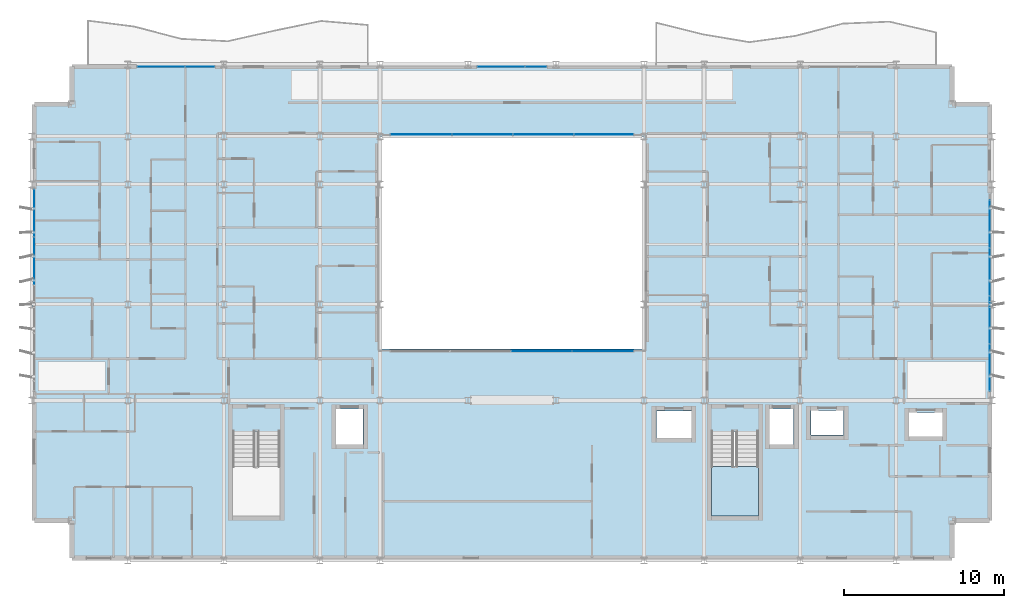
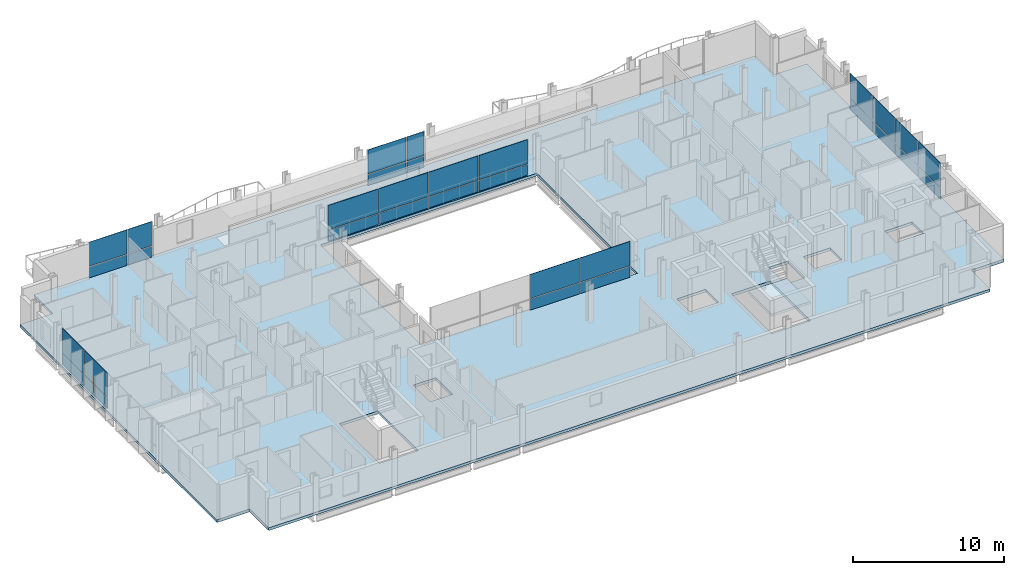
# One storey, part 23 of 38: 32 plates, 2 slabs, 7 elements without a shape of their own.
"""IFC4 building model written with IfcOpenShell, lengths in metres."""

from ifc_helpers import new_model, si_unit, direction, frame, origin, origin_2d, place, context, subcontext, project, spatial, polyline, rectangle, outline, extrude, material, layer, layer_set, type_object, element, aggregate, save


model = new_model("IFC4")

# Units and contexts
model_context = context("Model", 3, precision=1e-05, world=origin(), true_north=direction((0.0, 1.0)))
body_context = subcontext(model_context, "Body", "Model", "MODEL_VIEW")
ifc_project = project(units=[si_unit("LENGTHUNIT", "METRE"), si_unit("AREAUNIT", "SQUARE_METRE"), si_unit("VOLUMEUNIT", "CUBIC_METRE"), si_unit("PLANEANGLEUNIT", "RADIAN"), si_unit("MASSUNIT", "GRAM", prefix="KILO")], contexts=[model_context])

# Site, building, storey
site_placement = place(None, origin())
site = spatial("IfcSite", under=ifc_project, at=site_placement, CompositionType="ELEMENT")
building_placement = place(site_placement, origin())
building = spatial("IfcBuilding", under=site, at=building_placement, Name="Brevholm Reach", CompositionType="ELEMENT")
storey_placement = place(building_placement, frame((0.0, 0.0, 128.300048828125)))
storey = spatial("IfcBuildingStorey", under=building, at=storey_placement, Name="L38", CompositionType="ELEMENT", Elevation=128.300048828125)

# Curtain wall, plates
ifc_material_1 = material(Name="Dark Anodised Aluminium 6063-T6 and Solar-Control Glass", Category="aluminium")
ifc_layer_1 = layer(ifc_material_1, 0.14990234375)
ifc_layer_set_1 = layer_set([ifc_layer_1], Name="Dark Anodised Aluminium 6063-T6 and Solar-Control Glass")
curtain_wall_type_1 = type_object("IfcCurtainWallType", Name="CW-01", PredefinedType="NOTDEFINED", material=ifc_layer_set_1)
curtain_wall_1_placement = place(storey_placement, origin())
curtain_wall_1 = element("IfcCurtainWall", 1, at=curtain_wall_1_placement, inside=storey, type_object=curtain_wall_type_1, Name="L38 Curtain Wall CW-01", PredefinedType="NOTDEFINED")
ifc_material_2 = material(Name="Dark Solar-Control Double-Glazed IGU Glass", Category="glass")
ifc_layer_2 = layer(ifc_material_2, 0.028076171875)
ifc_layer_set_2 = layer_set([ifc_layer_2], Name="Dark Solar-Control Double-Glazed IGU Glass")
plate_type_1 = type_object("IfcPlateType", Name="CWP-GLZ-28", PredefinedType="CURTAIN_PANEL", material=ifc_layer_set_2)
plate_1_placement = place(storey_placement, frame((0.14990234375, 21.703857421875, 0.0), z_axis=(0.0, 0.0, 1.0), x_axis=(0.0, -1.0, 0.0)))
plate_1 = element("IfcPlate", 2, at=plate_1_placement, type_object=plate_type_1, Name="CP-01 Glazing Panel 1.1", PredefinedType="CURTAIN_PANEL", context=body_context, shape_type="SweptSolid", body=[
    extrude(rectangle(XDim=2.902587890625, YDim=0.028076171875, at=origin_2d()), origin(), (0.0, 0.0, 1.0), 0.867431640625),
])
plate_2_placement = place(storey_placement, frame((0.14990234375, 21.703857421875, 0.9326171875), z_axis=(0.0, 0.0, 1.0), x_axis=(0.0, -1.0, 0.0)))
plate_2 = element("IfcPlate", 3, at=plate_2_placement, type_object=plate_type_1, Name="CP-01 Glazing Panel 1.2", PredefinedType="CURTAIN_PANEL", context=body_context, shape_type="SweptSolid", body=[
    extrude(rectangle(XDim=2.902587890625, YDim=0.028076171875, at=origin_2d()), origin(), (0.0, 0.0, 1.0), 1.947509765625),
])
plate_3_placement = place(storey_placement, frame((0.14990234375, 18.719970703125, 0.0), z_axis=(0.0, 0.0, 1.0), x_axis=(0.0, -1.0, 0.0)))
plate_3 = element("IfcPlate", 4, at=plate_3_placement, type_object=plate_type_1, Name="CP-01 Glazing Panel 2.1", PredefinedType="CURTAIN_PANEL", context=body_context, shape_type="SweptSolid", body=[
    extrude(rectangle(XDim=2.93505859375, YDim=0.028076171875, at=origin_2d()), origin(), (0.0, 0.0, 1.0), 0.867431640625),
])
plate_4_placement = place(storey_placement, frame((0.14990234375, 18.719970703125, 0.9326171875), z_axis=(0.0, 0.0, 1.0), x_axis=(0.0, -1.0, 0.0)))
plate_4 = element("IfcPlate", 5, at=plate_4_placement, type_object=plate_type_1, Name="CP-01 Glazing Panel 2.2", PredefinedType="CURTAIN_PANEL", context=body_context, shape_type="SweptSolid", body=[
    extrude(rectangle(XDim=2.93505859375, YDim=0.028076171875, at=origin_2d()), origin(), (0.0, 0.0, 1.0), 1.947509765625),
])
aggregate(curtain_wall_1, [plate_1, plate_2, plate_3, plate_4])

curtain_wall_2_placement = place(storey_placement, origin())
curtain_wall_2 = element("IfcCurtainWall", 6, at=curtain_wall_2_placement, inside=storey, type_object=curtain_wall_type_1, Name="L38 Curtain Wall CW-01", PredefinedType="NOTDEFINED")
plate_5_placement = place(storey_placement, frame((59.85009765625, 12.066162109375, 0.0), z_axis=(0.0, 0.0, 1.0), x_axis=(0.0, 1.0, 0.0)))
plate_5 = element("IfcPlate", 7, at=plate_5_placement, type_object=plate_type_1, Name="CP-01 Glazing Panel 1.1", PredefinedType="CURTAIN_PANEL", context=body_context, shape_type="SweptSolid", body=[
    extrude(rectangle(XDim=2.902587890625, YDim=0.028076171875, at=origin_2d()), origin(), (0.0, 0.0, 1.0), 0.867431640625),
])
plate_6_placement = place(storey_placement, frame((59.85009765625, 12.066162109375, 0.9326171875), z_axis=(0.0, 0.0, 1.0), x_axis=(0.0, 1.0, 0.0)))
plate_6 = element("IfcPlate", 8, at=plate_6_placement, type_object=plate_type_1, Name="CP-01 Glazing Panel 1.2", PredefinedType="CURTAIN_PANEL", context=body_context, shape_type="SweptSolid", body=[
    extrude(rectangle(XDim=2.902587890625, YDim=0.028076171875, at=origin_2d()), origin(), (0.0, 0.0, 1.0), 1.947509765625),
])
plate_7_placement = place(storey_placement, frame((59.85009765625, 15.050048828125, 0.0), z_axis=(0.0, 0.0, 1.0), x_axis=(0.0, 1.0, 0.0)))
plate_7 = element("IfcPlate", 9, at=plate_7_placement, type_object=plate_type_1, Name="CP-01 Glazing Panel 2.1", PredefinedType="CURTAIN_PANEL", context=body_context, shape_type="SweptSolid", body=[
    extrude(rectangle(XDim=2.93505859375, YDim=0.028076171875, at=origin_2d()), origin(), (0.0, 0.0, 1.0), 0.867431640625),
])
plate_8_placement = place(storey_placement, frame((59.85009765625, 15.050048828125, 0.9326171875), z_axis=(0.0, 0.0, 1.0), x_axis=(0.0, 1.0, 0.0)))
plate_8 = element("IfcPlate", 10, at=plate_8_placement, type_object=plate_type_1, Name="CP-01 Glazing Panel 2.2", PredefinedType="CURTAIN_PANEL", context=body_context, shape_type="SweptSolid", body=[
    extrude(rectangle(XDim=2.93505859375, YDim=0.028076171875, at=origin_2d()), origin(), (0.0, 0.0, 1.0), 1.947509765625),
])
plate_9_placement = place(storey_placement, frame((59.85009765625, 18.050048828125, 0.0), z_axis=(0.0, 0.0, 1.0), x_axis=(0.0, 1.0, 0.0)))
plate_9 = element("IfcPlate", 11, at=plate_9_placement, type_object=plate_type_1, Name="CP-01 Glazing Panel 3.1", PredefinedType="CURTAIN_PANEL", context=body_context, shape_type="SweptSolid", body=[
    extrude(rectangle(XDim=2.93505859375, YDim=0.028076171875, at=origin_2d()), origin(), (0.0, 0.0, 1.0), 0.867431640625),
])
plate_10_placement = place(storey_placement, frame((59.85009765625, 18.050048828125, 0.9326171875), z_axis=(0.0, 0.0, 1.0), x_axis=(0.0, 1.0, 0.0)))
plate_10 = element("IfcPlate", 12, at=plate_10_placement, type_object=plate_type_1, Name="CP-01 Glazing Panel 3.2", PredefinedType="CURTAIN_PANEL", context=body_context, shape_type="SweptSolid", body=[
    extrude(rectangle(XDim=2.93505859375, YDim=0.028076171875, at=origin_2d()), origin(), (0.0, 0.0, 1.0), 1.947509765625),
])
plate_11_placement = place(storey_placement, frame((59.85009765625, 21.050048828125, 0.0), z_axis=(0.0, 0.0, 1.0), x_axis=(0.0, 1.0, 0.0)))
plate_11 = element("IfcPlate", 13, at=plate_11_placement, type_object=plate_type_1, Name="CP-01 Glazing Panel 4.1", PredefinedType="CURTAIN_PANEL", context=body_context, shape_type="SweptSolid", body=[
    extrude(rectangle(XDim=2.93505859375, YDim=0.028076171875, at=origin_2d()), origin(), (0.0, 0.0, 1.0), 0.867431640625),
])
plate_12_placement = place(storey_placement, frame((59.85009765625, 21.050048828125, 0.9326171875), z_axis=(0.0, 0.0, 1.0), x_axis=(0.0, 1.0, 0.0)))
plate_12 = element("IfcPlate", 14, at=plate_12_placement, type_object=plate_type_1, Name="CP-01 Glazing Panel 4.2", PredefinedType="CURTAIN_PANEL", context=body_context, shape_type="SweptSolid", body=[
    extrude(rectangle(XDim=2.93505859375, YDim=0.028076171875, at=origin_2d()), origin(), (0.0, 0.0, 1.0), 1.947509765625),
])
aggregate(curtain_wall_2, [plate_5, plate_6, plate_7, plate_8, plate_9, plate_10, plate_11, plate_12])

curtain_wall_3_placement = place(storey_placement, origin())
curtain_wall_3 = element("IfcCurtainWall", 15, at=curtain_wall_3_placement, inside=storey, type_object=curtain_wall_type_1, Name="L38 Curtain Wall CW-01", PredefinedType="NOTDEFINED")
plate_13_placement = place(storey_placement, frame((8.066162109375, 30.85009765625, 0.0), z_axis=(0.0, 0.0, 1.0), x_axis=(1.0, 0.0, 0.0)))
plate_13 = element("IfcPlate", 16, at=plate_13_placement, type_object=plate_type_1, Name="CP-01 Glazing Panel 1.1", PredefinedType="CURTAIN_PANEL", context=body_context, shape_type="SweptSolid", body=[
    extrude(rectangle(XDim=2.902587890625, YDim=0.028076171875, at=origin_2d()), origin(), (0.0, 0.0, 1.0), 0.867431640625),
])
plate_14_placement = place(storey_placement, frame((8.066162109375, 30.85009765625, 0.9326171875), z_axis=(0.0, 0.0, 1.0), x_axis=(1.0, 0.0, 0.0)))
plate_14 = element("IfcPlate", 17, at=plate_14_placement, type_object=plate_type_1, Name="CP-01 Glazing Panel 1.2", PredefinedType="CURTAIN_PANEL", context=body_context, shape_type="SweptSolid", body=[
    extrude(rectangle(XDim=2.902587890625, YDim=0.028076171875, at=origin_2d()), origin(), (0.0, 0.0, 1.0), 1.947509765625),
])
plate_15_placement = place(storey_placement, frame((10.483642578125, 30.85009765625, 0.0), z_axis=(0.0, 0.0, 1.0), x_axis=(1.0, 0.0, 0.0)))
plate_15 = element("IfcPlate", 18, at=plate_15_placement, type_object=plate_type_1, Name="CP-01 Glazing Panel 2.1", PredefinedType="CURTAIN_PANEL", context=body_context, shape_type="SweptSolid", body=[
    extrude(rectangle(XDim=1.802490234375, YDim=0.028076171875, at=origin_2d()), origin(), (0.0, 0.0, 1.0), 0.867431640625),
])
plate_16_placement = place(storey_placement, frame((10.483642578125, 30.85009765625, 0.9326171875), z_axis=(0.0, 0.0, 1.0), x_axis=(1.0, 0.0, 0.0)))
plate_16 = element("IfcPlate", 19, at=plate_16_placement, type_object=plate_type_1, Name="CP-01 Glazing Panel 2.2", PredefinedType="CURTAIN_PANEL", context=body_context, shape_type="SweptSolid", body=[
    extrude(rectangle(XDim=1.802490234375, YDim=0.028076171875, at=origin_2d()), origin(), (0.0, 0.0, 1.0), 1.947509765625),
])
aggregate(curtain_wall_3, [plate_13, plate_14, plate_15, plate_16])

curtain_wall_4_placement = place(storey_placement, origin())
curtain_wall_4 = element("IfcCurtainWall", 20, at=curtain_wall_4_placement, inside=storey, type_object=curtain_wall_type_1, Name="L38 Curtain Wall CW-01", PredefinedType="NOTDEFINED")
plate_17_placement = place(storey_placement, frame((29.316162109375, 30.85009765625, 0.0), z_axis=(0.0, 0.0, 1.0), x_axis=(1.0, 0.0, 0.0)))
plate_17 = element("IfcPlate", 21, at=plate_17_placement, type_object=plate_type_1, Name="CP-01 Glazing Panel 1.1", PredefinedType="CURTAIN_PANEL", context=body_context, shape_type="SweptSolid", body=[
    extrude(rectangle(XDim=2.902587890625, YDim=0.028076171875, at=origin_2d()), origin(), (0.0, 0.0, 1.0), 0.867431640625),
])
plate_18_placement = place(storey_placement, frame((29.316162109375, 30.85009765625, 0.9326171875), z_axis=(0.0, 0.0, 1.0), x_axis=(1.0, 0.0, 0.0)))
plate_18 = element("IfcPlate", 22, at=plate_18_placement, type_object=plate_type_1, Name="CP-01 Glazing Panel 1.2", PredefinedType="CURTAIN_PANEL", context=body_context, shape_type="SweptSolid", body=[
    extrude(rectangle(XDim=2.902587890625, YDim=0.028076171875, at=origin_2d()), origin(), (0.0, 0.0, 1.0), 1.947509765625),
])
plate_19_placement = place(storey_placement, frame((31.483642578125, 30.85009765625, 0.0), z_axis=(0.0, 0.0, 1.0), x_axis=(1.0, 0.0, 0.0)))
plate_19 = element("IfcPlate", 23, at=plate_19_placement, type_object=plate_type_1, Name="CP-01 Glazing Panel 2.1", PredefinedType="CURTAIN_PANEL", context=body_context, shape_type="SweptSolid", body=[
    extrude(rectangle(XDim=1.302490234375, YDim=0.028076171875, at=origin_2d()), origin(), (0.0, 0.0, 1.0), 0.867431640625),
])
plate_20_placement = place(storey_placement, frame((31.483642578125, 30.85009765625, 0.9326171875), z_axis=(0.0, 0.0, 1.0), x_axis=(1.0, 0.0, 0.0)))
plate_20 = element("IfcPlate", 24, at=plate_20_placement, type_object=plate_type_1, Name="CP-01 Glazing Panel 2.2", PredefinedType="CURTAIN_PANEL", context=body_context, shape_type="SweptSolid", body=[
    extrude(rectangle(XDim=1.302490234375, YDim=0.028076171875, at=origin_2d()), origin(), (0.0, 0.0, 1.0), 1.947509765625),
])
aggregate(curtain_wall_4, [plate_17, plate_18, plate_19, plate_20])

ifc_material_3 = material(Name="Dark Anodised Aluminium 6063-T6 and Solar-Control Glass", Category="aluminium")
ifc_layer_3 = layer(ifc_material_3, 0.139892578125)
ifc_layer_set_3 = layer_set([ifc_layer_3], Name="Dark Anodised Aluminium 6063-T6 and Solar-Control Glass")
curtain_wall_type_2 = type_object("IfcCurtainWallType", Name="CW-02", PredefinedType="NOTDEFINED", material=ifc_layer_set_3)
curtain_wall_5_placement = place(storey_placement, origin())
curtain_wall_5 = element("IfcCurtainWall", 25, at=curtain_wall_5_placement, inside=storey, type_object=curtain_wall_type_2, Name="L38 Curtain Wall CW-02", PredefinedType="NOTDEFINED")
ifc_material_4 = material(Name="Low-Iron Laminated Acoustic Glass", Category="glass")
ifc_layer_4 = layer(ifc_material_4, 0.035888671875)
ifc_layer_set_4 = layer_set([ifc_layer_4], Name="Low-Iron Laminated Acoustic Glass")
plate_type_2 = type_object("IfcPlateType", Name="CWP-GLZ-36", PredefinedType="CURTAIN_PANEL", material=ifc_layer_set_4)
plate_21_placement = place(storey_placement, frame((31.85009765625, 13.080078125, 0.0), z_axis=(0.0, 0.0, 1.0), x_axis=(1.0, 0.0, 0.0)))
plate_21 = element("IfcPlate", 26, at=plate_21_placement, type_object=plate_type_2, Name="CP-02 Glazing Panel 3.1", PredefinedType="CURTAIN_PANEL", context=body_context, shape_type="SweptSolid", body=[
    extrude(rectangle(XDim=3.739990234375, YDim=0.035888671875, at=origin_2d()), origin(), (0.0, 0.0, 1.0), 0.8701171875),
])
plate_22_placement = place(storey_placement, frame((31.85009765625, 13.080078125, 0.93017578125), z_axis=(0.0, 0.0, 1.0), x_axis=(1.0, 0.0, 0.0)))
plate_22 = element("IfcPlate", 27, at=plate_22_placement, type_object=plate_type_2, Name="CP-02 Glazing Panel 3.2", PredefinedType="CURTAIN_PANEL", context=body_context, shape_type="SweptSolid", body=[
    extrude(rectangle(XDim=3.739990234375, YDim=0.035888671875, at=origin_2d()), origin(), (0.0, 0.0, 1.0), 1.949951171875),
])
plate_23_placement = place(storey_placement, frame((35.68505859375, 13.080078125, 0.0), z_axis=(0.0, 0.0, 1.0), x_axis=(1.0, 0.0, 0.0)))
plate_23 = element("IfcPlate", 28, at=plate_23_placement, type_object=plate_type_2, Name="CP-02 Glazing Panel 4.1", PredefinedType="CURTAIN_PANEL", context=body_context, shape_type="SweptSolid", body=[
    extrude(rectangle(XDim=3.81005859375, YDim=0.035888671875, at=origin_2d()), origin(), (0.0, 0.0, 1.0), 0.8701171875),
])
plate_24_placement = place(storey_placement, frame((35.68505859375, 13.080078125, 0.93017578125), z_axis=(0.0, 0.0, 1.0), x_axis=(1.0, 0.0, 0.0)))
plate_24 = element("IfcPlate", 29, at=plate_24_placement, type_object=plate_type_2, Name="CP-02 Glazing Panel 4.2", PredefinedType="CURTAIN_PANEL", context=body_context, shape_type="SweptSolid", body=[
    extrude(rectangle(XDim=3.81005859375, YDim=0.035888671875, at=origin_2d()), origin(), (0.0, 0.0, 1.0), 1.949951171875),
])
aggregate(curtain_wall_5, [plate_21, plate_22, plate_23, plate_24])

curtain_wall_6_placement = place(storey_placement, origin())
curtain_wall_6 = element("IfcCurtainWall", 30, at=curtain_wall_6_placement, inside=storey, type_object=curtain_wall_type_2, Name="L38 Curtain Wall CW-02", PredefinedType="NOTDEFINED")
plate_25_placement = place(storey_placement, frame((35.735107421875, 26.6201171875, 0.0), z_axis=(0.0, 0.0, 1.0), x_axis=(-1.0, 0.0, 0.0)))
plate_25 = element("IfcPlate", 31, at=plate_25_placement, type_object=plate_type_2, Name="CP-02 Glazing Panel 1.1", PredefinedType="CURTAIN_PANEL", context=body_context, shape_type="SweptSolid", body=[
    extrude(rectangle(XDim=3.7099609375, YDim=0.035888671875, at=origin_2d()), origin(), (0.0, 0.0, 1.0), 0.8701171875),
])
plate_26_placement = place(storey_placement, frame((35.735107421875, 26.6201171875, 0.93017578125), z_axis=(0.0, 0.0, 1.0), x_axis=(-1.0, 0.0, 0.0)))
plate_26 = element("IfcPlate", 32, at=plate_26_placement, type_object=plate_type_2, Name="CP-02 Glazing Panel 1.2", PredefinedType="CURTAIN_PANEL", context=body_context, shape_type="SweptSolid", body=[
    extrude(rectangle(XDim=3.7099609375, YDim=0.035888671875, at=origin_2d()), origin(), (0.0, 0.0, 1.0), 1.949951171875),
])
plate_27_placement = place(storey_placement, frame((31.949951171875, 26.6201171875, 0.0), z_axis=(0.0, 0.0, 1.0), x_axis=(-1.0, 0.0, 0.0)))
plate_27 = element("IfcPlate", 33, at=plate_27_placement, type_object=plate_type_2, Name="CP-02 Glazing Panel 2.1", PredefinedType="CURTAIN_PANEL", context=body_context, shape_type="SweptSolid", body=[
    extrude(rectangle(XDim=3.739990234375, YDim=0.035888671875, at=origin_2d()), origin(), (0.0, 0.0, 1.0), 0.8701171875),
])
plate_28_placement = place(storey_placement, frame((31.949951171875, 26.6201171875, 0.93017578125), z_axis=(0.0, 0.0, 1.0), x_axis=(-1.0, 0.0, 0.0)))
plate_28 = element("IfcPlate", 34, at=plate_28_placement, type_object=plate_type_2, Name="CP-02 Glazing Panel 2.2", PredefinedType="CURTAIN_PANEL", context=body_context, shape_type="SweptSolid", body=[
    extrude(rectangle(XDim=3.739990234375, YDim=0.035888671875, at=origin_2d()), origin(), (0.0, 0.0, 1.0), 1.949951171875),
])
plate_29_placement = place(storey_placement, frame((28.14990234375, 26.6201171875, 0.0), z_axis=(0.0, 0.0, 1.0), x_axis=(-1.0, 0.0, 0.0)))
plate_29 = element("IfcPlate", 35, at=plate_29_placement, type_object=plate_type_2, Name="CP-02 Glazing Panel 3.1", PredefinedType="CURTAIN_PANEL", context=body_context, shape_type="SweptSolid", body=[
    extrude(rectangle(XDim=3.739990234375, YDim=0.035888671875, at=origin_2d()), origin(), (0.0, 0.0, 1.0), 0.8701171875),
])
plate_30_placement = place(storey_placement, frame((28.14990234375, 26.6201171875, 0.93017578125), z_axis=(0.0, 0.0, 1.0), x_axis=(-1.0, 0.0, 0.0)))
plate_30 = element("IfcPlate", 36, at=plate_30_placement, type_object=plate_type_2, Name="CP-02 Glazing Panel 3.2", PredefinedType="CURTAIN_PANEL", context=body_context, shape_type="SweptSolid", body=[
    extrude(rectangle(XDim=3.739990234375, YDim=0.035888671875, at=origin_2d()), origin(), (0.0, 0.0, 1.0), 1.949951171875),
])
plate_31_placement = place(storey_placement, frame((24.31494140625, 26.6201171875, 0.0), z_axis=(0.0, 0.0, 1.0), x_axis=(-1.0, 0.0, 0.0)))
plate_31 = element("IfcPlate", 37, at=plate_31_placement, type_object=plate_type_2, Name="CP-02 Glazing Panel 4.1", PredefinedType="CURTAIN_PANEL", context=body_context, shape_type="SweptSolid", body=[
    extrude(rectangle(XDim=3.81005859375, YDim=0.035888671875, at=origin_2d()), origin(), (0.0, 0.0, 1.0), 0.8701171875),
])
plate_32_placement = place(storey_placement, frame((24.31494140625, 26.6201171875, 0.93017578125), z_axis=(0.0, 0.0, 1.0), x_axis=(-1.0, 0.0, 0.0)))
plate_32 = element("IfcPlate", 38, at=plate_32_placement, type_object=plate_type_2, Name="CP-02 Glazing Panel 4.2", PredefinedType="CURTAIN_PANEL", context=body_context, shape_type="SweptSolid", body=[
    extrude(rectangle(XDim=3.81005859375, YDim=0.035888671875, at=origin_2d()), origin(), (0.0, 0.0, 1.0), 1.949951171875),
])
aggregate(curtain_wall_6, [plate_25, plate_26, plate_27, plate_28, plate_29, plate_30, plate_31, plate_32])

# Slab
ifc_material_5 = material(Name="Concrete C40/50", Category="concrete")
ifc_layer_5 = layer(ifc_material_5, 0.219970703125)
ifc_layer_set_5 = layer_set([ifc_layer_5], Name="Concrete C40/50")
slab_type_1 = type_object("IfcSlabType", Name="SLB-FL-220", PredefinedType="FLOOR", material=ifc_layer_set_5)
slab_1_placement = place(storey_placement, frame((0.0, 0.0, -0.219970703125)))
element("IfcSlab", 39, at=slab_1_placement, inside=storey, type_object=slab_type_1, Name="L38 Suspended Floor Slab (main)", PredefinedType="FLOOR", context=body_context, shape_type="SweptSolid", body=[
    extrude(outline(polyline([(2.5, 0.0), (57.5, 0.0), (57.5, 2.5), (60.0, 2.5), (60.0, 28.5), (57.5, 28.5), (57.5, 31.0), (2.5, 31.0), (2.5, 28.5), (0.0, 28.5), (0.0, 2.5), (2.5, 2.5), (2.5, 0.0)]), holes=[polyline([(21.75, 13.199951171875), (38.25, 13.199951171875), (38.25, 26.5), (21.75, 26.5), (21.75, 13.199951171875)]), polyline([(12.550048828125, 2.780029296875), (15.5, 2.780029296875), (15.5, 8.044921875), (12.550048828125, 8.044921875), (12.550048828125, 2.780029296875)]), polyline([(42.449951171875, 2.780029296875), (45.39990234375, 2.780029296875), (45.39990234375, 8.044921875), (42.449951171875, 8.044921875), (42.449951171875, 2.780029296875)]), polyline([(19.0, 7.25), (20.699951171875, 7.25), (20.699951171875, 9.449951171875), (19.0, 9.449951171875), (19.0, 7.25)]), polyline([(46.10009765625, 7.25), (47.60009765625, 7.25), (47.60009765625, 9.449951171875), (46.10009765625, 9.449951171875), (46.10009765625, 7.25)]), polyline([(48.675048828125, 7.824951171875), (50.72509765625, 7.824951171875), (50.72509765625, 9.375), (48.675048828125, 9.375), (48.675048828125, 7.824951171875)]), polyline([(54.800048828125, 7.75), (56.89990234375, 7.75), (56.89990234375, 9.25), (54.800048828125, 9.25), (54.800048828125, 7.75)]), polyline([(39.02001953125, 7.64990234375), (41.219970703125, 7.64990234375), (41.219970703125, 9.35009765625), (39.02001953125, 9.35009765625), (39.02001953125, 7.64990234375)])]), origin(), (0.0, 0.0, 1.0), 0.219970703125),
])

# Stair, slab
ifc_material_6 = material(Name="Precast Concrete C40/50", Category="concrete")
stair_type = type_object("IfcStairType", Name="STR-ESC-1400", PredefinedType="DOUBLE_RETURN_STAIR", material=ifc_material_6)
stair_placement = place(storey_placement, origin())
stair = element("IfcStair", 40, at=stair_placement, inside=storey, type_object=stair_type, Name="L38 ST-2", PredefinedType="DOUBLE_RETURN_STAIR")
ifc_material_7 = material(Name="Concrete C40/50", Category="concrete")
ifc_layer_6 = layer(ifc_material_7, 0.199951171875)
ifc_layer_set_6 = layer_set([ifc_layer_6], Name="Concrete C40/50")
slab_type_2 = type_object("IfcSlabType", Name="SLB-LND-200", PredefinedType="LANDING", material=ifc_layer_set_6)
slab_2_placement = place(storey_placement, frame((0.0, 0.0, 1.349853515625)))
slab_2 = element("IfcSlab", 41, at=slab_2_placement, type_object=slab_type_2, Name="ST-2 landing 1", PredefinedType="LANDING", context=body_context, shape_type="SweptSolid", body=[
    extrude(outline(polyline([(42.449951171875, 5.860107421875), (42.449951171875, 2.780029296875), (45.39990234375, 2.780029296875), (45.39990234375, 5.860107421875), (42.449951171875, 5.860107421875)])), origin(), (0.0, 0.0, 1.0), 0.2001953125),
])
aggregate(stair, [slab_2])

save(model, "model.ifc")
